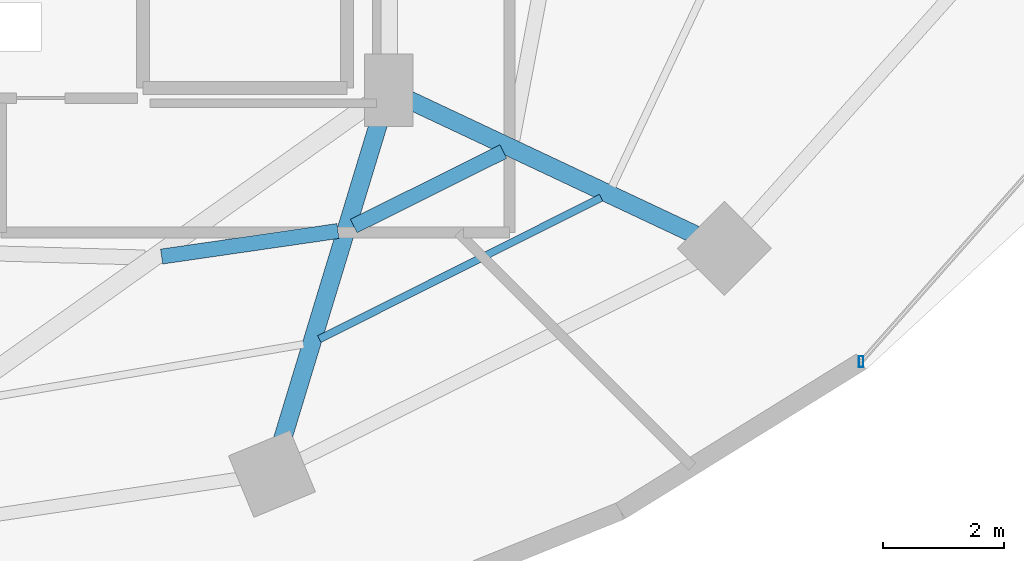
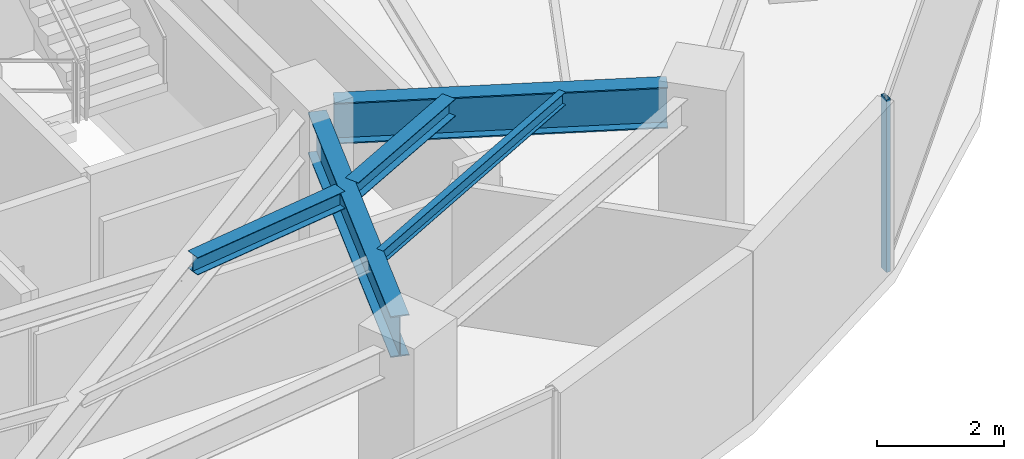
# One storey, part 12 of 31: 5 beams, 1 member, 1 element without a shape of its own.
"""IFC4 building model written with IfcOpenShell, lengths in metres."""

from ifc_helpers import new_model, si_unit, direction, frame, origin, origin_2d, place, context, subcontext, project, spatial, hollow_rectangle, i_section, extrude, material, material_profile, profile_set, type_object, element, aggregate, save


model = new_model("IFC4")

# Units and contexts
model_context = context("Model", 3, precision=1e-05, world=origin(), true_north=direction((0.0, 1.0)))
body_context = subcontext(model_context, "Body", "Model", "MODEL_VIEW")
ifc_project = project(units=[si_unit("LENGTHUNIT", "METRE"), si_unit("AREAUNIT", "SQUARE_METRE"), si_unit("VOLUMEUNIT", "CUBIC_METRE"), si_unit("PLANEANGLEUNIT", "RADIAN"), si_unit("MASSUNIT", "GRAM", prefix="KILO")], contexts=[model_context])

# Site, building, storey
site_placement = place(None, origin())
site = spatial("IfcSite", under=ifc_project, at=site_placement, CompositionType="ELEMENT")
building_placement = place(site_placement, origin())
building = spatial("IfcBuilding", under=site, at=building_placement, Name="Vorneva Point Tower", CompositionType="ELEMENT")
storey_placement = place(building_placement, frame((0.0, 0.0, 103.300048828125)))
storey = spatial("IfcBuildingStorey", under=building, at=storey_placement, Name="L27", CompositionType="ELEMENT", Elevation=103.300048828125)

# Beams
ifc_material_1 = material(Name="Steel S355", Category="steel")
ifc_material_profile_1 = material_profile(ifc_material_1, i_section(OverallWidth=0.300048828125, OverallDepth=0.7880859375, WebThickness=0.014404296875, FlangeThickness=0.02197265625, at=origin_2d()), Name="80Sh1")
ifc_profile_set_1 = profile_set([ifc_material_profile_1], Name="Steel S355")
beam_type_1 = type_object("IfcBeamType", Name="BM-GRD-80Sh1", PredefinedType="USERDEFINED", material=ifc_profile_set_1)
beam_1_placement = place(storey_placement, frame((46.9775390625, 10.6240234375, 2.845947265625), z_axis=(0.291034888253, 0.956712440506, 0.0), x_axis=(-0.956712440506, 0.291034888253, 0.0)))
element("IfcBeam", 1, at=beam_1_placement, inside=storey, type_object=beam_type_1, Name="L27 Radial Primary Girder 14", ObjectType="GIRDER", PredefinedType="USERDEFINED", context=body_context, shape_type="SweptSolid", body=[
    extrude(i_section(OverallWidth=0.300048828125, OverallDepth=0.7880859375, WebThickness=0.014404296875, FlangeThickness=0.02197265625, at=origin_2d()), origin(), (0.0, 0.0, 1.0), 5.74951171875),
])
beam_2_placement = place(storey_placement, frame((53.81201171875, 14.06689453125, 2.845947265625), z_axis=(-0.904751304927, 0.425940226126, 0.0), x_axis=(-0.425940226126, -0.904751304927, 0.0)))
element("IfcBeam", 2, at=beam_2_placement, inside=storey, type_object=beam_type_1, Name="L27 Radial Primary Girder 15", ObjectType="GIRDER", PredefinedType="USERDEFINED", context=body_context, shape_type="SweptSolid", body=[
    extrude(i_section(OverallWidth=0.300048828125, OverallDepth=0.7880859375, WebThickness=0.014404296875, FlangeThickness=0.02197265625, at=origin_2d()), origin(), (0.0, 0.0, 1.0), 5.2548828125),
])
ifc_material_profile_2 = material_profile(ifc_material_1, i_section(OverallWidth=0.1240234375, OverallDepth=0.248046875, WebThickness=0.0048828125, FlangeThickness=0.008056640625, at=origin_2d()), Name="25B1")
ifc_profile_set_2 = profile_set([ifc_material_profile_2], Name="Steel S355")
beam_type_2 = type_object("IfcBeamType", Name="BM-JST-25B1", PredefinedType="JOIST", material=ifc_profile_set_2)
beam_3_placement = place(storey_placement, frame((47.602783203125, 12.336181640625, 3.115966796875), z_axis=(0.893620424301, 0.448823503476, 0.0), x_axis=(-0.448823503476, 0.893620424301, 0.0)))
element("IfcBeam", 3, at=beam_3_placement, inside=storey, type_object=beam_type_2, Name="L27 Secondary Floor Beam 1.14", PredefinedType="JOIST", context=body_context, shape_type="SweptSolid", body=[
    extrude(i_section(OverallWidth=0.1240234375, OverallDepth=0.248046875, WebThickness=0.0048828125, FlangeThickness=0.008056640625, at=origin_2d()), origin(), (0.0, 0.0, 1.0), 5.21435546875),
])
ifc_material_profile_3 = material_profile(ifc_material_1, i_section(OverallWidth=0.2490234375, OverallDepth=0.333984375, WebThickness=0.008056640625, FlangeThickness=0.010986328125, at=origin_2d()), Name="35Sh1")
ifc_profile_set_3 = profile_set([ifc_material_profile_3], Name="Steel S355")
beam_type_3 = type_object("IfcBeamType", Name="BM-SEC-35Sh1", PredefinedType="BEAM", material=ifc_profile_set_3)
beam_4_placement = place(storey_placement, frame((44.9970703125, 13.701904296875, 3.072998046875), z_axis=(0.989653947992, 0.143474956782, 0.0), x_axis=(-0.143474956782, 0.989653947992, 0.0)))
element("IfcBeam", 4, at=beam_4_placement, inside=storey, type_object=beam_type_3, Name="L27 Secondary Floor Beam 2.13", PredefinedType="BEAM", context=body_context, shape_type="SweptSolid", body=[
    extrude(i_section(OverallWidth=0.2490234375, OverallDepth=0.333984375, WebThickness=0.008056640625, FlangeThickness=0.010986328125, at=origin_2d()), origin(), (0.0, 0.0, 1.0), 2.945556640625),
])
beam_5_placement = place(storey_placement, frame((48.172119140625, 14.2060546875, 3.072998046875), z_axis=(0.895132850835, 0.445799483351, 0.0), x_axis=(-0.445799483351, 0.895132850835, 0.0)))
element("IfcBeam", 5, at=beam_5_placement, inside=storey, type_object=beam_type_3, Name="L27 Secondary Floor Beam 2.14", PredefinedType="BEAM", context=body_context, shape_type="SweptSolid", body=[
    extrude(i_section(OverallWidth=0.2490234375, OverallDepth=0.333984375, WebThickness=0.008056640625, FlangeThickness=0.010986328125, at=origin_2d()), origin(), (0.0, 0.0, 1.0), 2.763427734375),
])

# Curtain wall, member
ifc_material_2 = material(Name="Pale anodised aluminium", Category="aluminium")
curtain_wall_type = type_object("IfcCurtainWallType", Name="CW-HTL-SYS", PredefinedType="NOTDEFINED", material=ifc_material_2)
curtain_wall_placement = place(storey_placement, origin())
curtain_wall = element("IfcCurtainWall", 6, at=curtain_wall_placement, inside=storey, type_object=curtain_wall_type, Name="L27 Unitised Curtain Wall CW-L27-R01", PredefinedType="NOTDEFINED")
ifc_material_profile_4 = material_profile(ifc_material_2, hollow_rectangle(XDim=0.074951171875, YDim=0.179931640625, WallThickness=0.00390625, at=origin_2d()), Name="AL-MUL 180x75x4")
ifc_profile_set_4 = profile_set([ifc_material_profile_4], Name="Pale anodised aluminium")
member_type = type_object("IfcMemberType", Name="CW-MUL-180", PredefinedType="MULLION", material=ifc_profile_set_4)
member_placement = place(storey_placement, frame((56.5615234375, 11.9638671875, -0.0400390625), z_axis=(0.0, 0.0, 1.0), x_axis=(1.0, 0.0, 0.0)))
member = element("IfcMember", 7, at=member_placement, type_object=member_type, Name="CW-L27-R01 Mullion 01", PredefinedType="MULLION", context=body_context, shape_type="SweptSolid", body=[
    extrude(hollow_rectangle(XDim=0.074951171875, YDim=0.179931640625, WallThickness=0.00390625, at=origin_2d()), origin(), (0.0, 0.0, 1.0), 3.31005859375),
])
aggregate(curtain_wall, [member])

save(model, "model.ifc")
